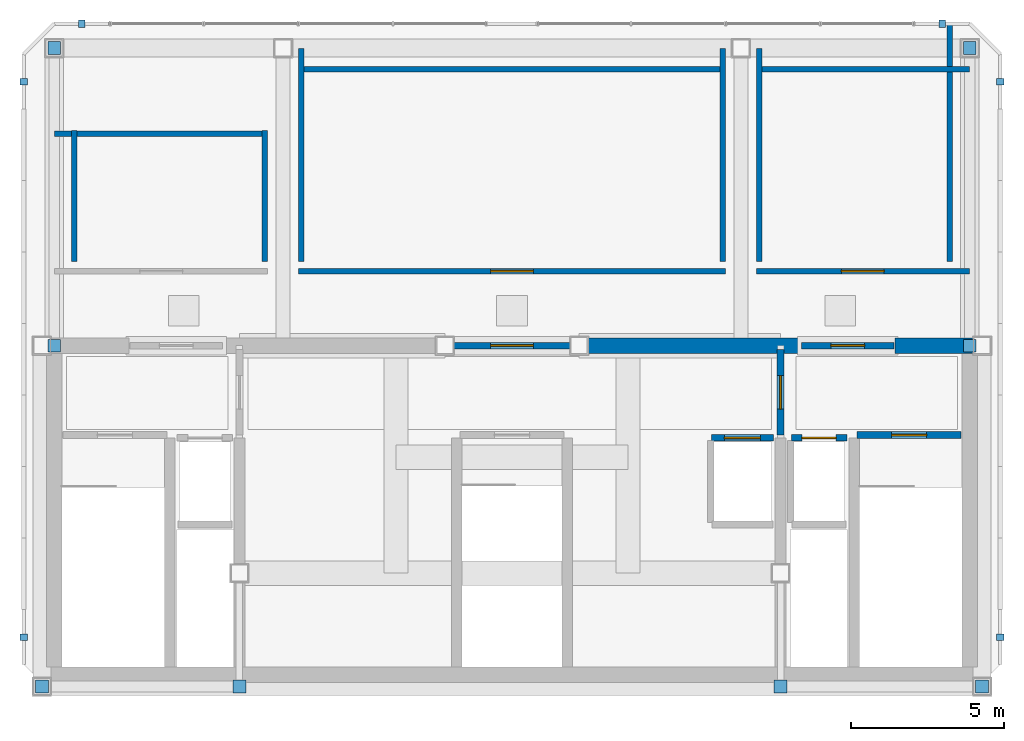
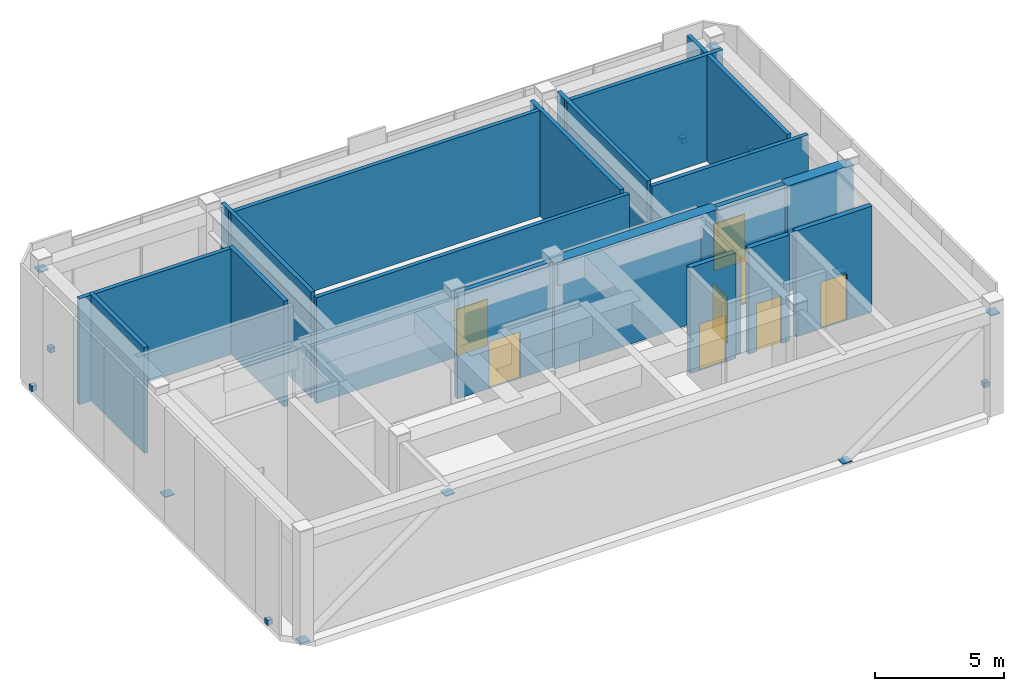
# One storey, part 8 of 9: 19 walls, 14 discrete accessories, 8 doors, 8 openings.
"""IFC4 building model written with IfcOpenShell, lengths in metres."""

from ifc_helpers import new_model, si_unit, direction, frame, frame_2d, origin, origin_2d, place, context, subcontext, project, spatial, rectangle, extrude, material, layer, layer_set, type_object, element, fill, save


model = new_model("IFC4")

# Units and contexts
model_context = context("Model", 3, precision=1e-05, world=origin(), true_north=direction((0.0, 1.0)))
body_context = subcontext(model_context, "Body", "Model", "MODEL_VIEW")
ifc_project = project(units=[si_unit("LENGTHUNIT", "METRE"), si_unit("AREAUNIT", "SQUARE_METRE"), si_unit("VOLUMEUNIT", "CUBIC_METRE"), si_unit("PLANEANGLEUNIT", "RADIAN"), si_unit("MASSUNIT", "GRAM", prefix="KILO")], contexts=[model_context])

# Site, building, storey
site_placement = place(None, origin())
site = spatial("IfcSite", under=ifc_project, at=site_placement, CompositionType="ELEMENT")
building_placement = place(site_placement, origin())
building = spatial("IfcBuilding", under=site, at=building_placement, Name="Ventersveld Concourse Tower", CompositionType="ELEMENT")
storey_placement = place(building_placement, frame((0.0, 0.0, 388.25)))
storey = spatial("IfcBuildingStorey", under=building, at=storey_placement, Name="L94", CompositionType="ELEMENT", Elevation=388.25)

# Walls
ifc_material_1 = material(Name="Concrete C50/60", Category="concrete")
ifc_layer_1 = layer(ifc_material_1, 0.5)
ifc_layer_set_1 = layer_set([ifc_layer_1], Name="Concrete C50/60")
wall_type_1 = type_object("IfcWallType", Name="WL-CORE-500", PredefinedType="SHEAR", material=ifc_layer_set_1)
wall_1_placement = place(storey_placement, frame((30.89990234375, 11.449951171875, 0.0), z_axis=(0.0, 0.0, 1.0), x_axis=(1.0, 0.0, 0.0)))
element("IfcWall", 1, at=wall_1_placement, inside=storey, type_object=wall_type_1, Name="L94 Rear Core North Shear Wall NMR", PredefinedType="SHEAR", context=body_context, shape_type="SweptSolid", body=[
    extrude(rectangle(XDim=7.300048828125, YDim=0.5, at=frame_2d((3.64990234375, 0.0))), origin(), (0.0, 0.0, 1.0), 5.0),
])
wall_2_placement = place(storey_placement, frame((41.300048828125, 11.449951171875, 0.0), z_axis=(0.0, 0.0, 1.0), x_axis=(1.0, 0.0, 0.0)))
element("IfcWall", 2, at=wall_2_placement, inside=storey, type_object=wall_type_1, Name="L94 Rear Core North Shear Wall NE", PredefinedType="SHEAR", context=body_context, shape_type="SweptSolid", body=[
    extrude(rectangle(XDim=2.949951171875, YDim=0.5, at=frame_2d((1.47509765625, 0.0))), origin(), (0.0, 0.0, 1.0), 5.0),
])

# Wall, opening, door
ifc_material_2 = material(Name="Fire-rated autoclaved aerated masonry blockwork", Category="masonry")
ifc_layer_2 = layer(ifc_material_2, 0.179931640625)
ifc_layer_set_2 = layer_set([ifc_layer_2], Name="Fire-rated autoclaved aerated masonry blockwork")
wall_type_2 = type_object("IfcWallType", Name="WL-CORR-180", PredefinedType="PARTITIONING", material=ifc_layer_set_2)
wall_3_placement = place(storey_placement, frame((21.7548828125, 13.889892578125, 0.0), z_axis=(0.0, 0.0, 1.0), x_axis=(1.0, 0.0, 0.0)))
wall_3 = element("IfcWall", 3, at=wall_3_placement, inside=storey, type_object=wall_type_2, Name="L94 Interior Partition SP-L94-PCOR-SP-L94-UPS", PredefinedType="PARTITIONING", context=body_context, shape_type="SweptSolid", body=[
    extrude(rectangle(XDim=13.990234375, YDim=0.179931640625, at=frame_2d((6.9951171875, 0.0))), origin(), (0.0, 0.0, 1.0), 5.0),
])
opening_1_placement = place(wall_3_placement, frame((6.294921875, 0.0, 0.0)))
opening_1 = element("IfcOpeningElement", 4, at=opening_1_placement, cuts=wall_3, Name="Opening FD4", PredefinedType="OPENING", context=body_context, shape_type="SweptSolid", body=[
    extrude(rectangle(XDim=1.39990234375, YDim=2.199951171875, at=frame_2d((0.699951171875, 1.10009765625))), frame((0.0, 0.10009765625, 0.0), z_axis=(0.0, -1.0, 0.0), x_axis=(1.0, 0.0, 0.0)), (0.0, 0.0, 1.0), 0.199951171875),
])
ifc_material_3 = material(Name="Galvanised painted steel", Category="steel")
door_type_1 = type_object("IfcDoorType", Name="DR-PLANT-140", OperationType="DOUBLE_DOOR_SINGLE_SWING", PredefinedType="DOOR", material=ifc_material_3)
door_1_placement = place(opening_1_placement, origin())
door_1 = element("IfcDoor", 5, at=door_1_placement, inside=storey, type_object=door_type_1, Name="L94 Interior Door SP-L94-PCOR to SP-L94-UPS (FD-L94-4016)", OperationType="DOUBLE_DOOR_SINGLE_SWING", OverallHeight=2.199951171875, OverallWidth=1.39990234375, PredefinedType="DOOR", context=body_context, shape_type="SweptSolid", body=[
    extrude(rectangle(XDim=1.39990234375, YDim=2.199951171875, at=frame_2d((0.699951171875, 1.10009765625))), frame((0.0, 0.02490234375, 0.0), z_axis=(0.0, -1.0, 0.0), x_axis=(1.0, 0.0, 0.0)), (0.0, 0.0, 1.0), 0.050048828125),
])
fill(opening_1, door_1)

wall_4_placement = place(storey_placement, frame((36.7548828125, 13.889892578125, 0.0), z_axis=(0.0, 0.0, 1.0), x_axis=(1.0, 0.0, 0.0)))
wall_4 = element("IfcWall", 6, at=wall_4_placement, inside=storey, type_object=wall_type_2, Name="L94 Interior Partition SP-L94-PCOR-SP-L94-TNK", PredefinedType="PARTITIONING", context=body_context, shape_type="SweptSolid", body=[
    extrude(rectangle(XDim=6.97705078125, YDim=0.179931640625, at=frame_2d((3.488525390625, 0.0))), origin(), (0.0, 0.0, 1.0), 5.0),
])
opening_2_placement = place(wall_4_placement, frame((2.78857421875, 0.0, 0.0)))
opening_2 = element("IfcOpeningElement", 7, at=opening_2_placement, cuts=wall_4, Name="Opening FD4", PredefinedType="OPENING", context=body_context, shape_type="SweptSolid", body=[
    extrude(rectangle(XDim=1.39990234375, YDim=2.199951171875, at=frame_2d((0.699951171875, 1.10009765625))), frame((0.0, 0.10009765625, 0.0), z_axis=(0.0, -1.0, 0.0), x_axis=(1.0, 0.0, 0.0)), (0.0, 0.0, 1.0), 0.199951171875),
])
door_2_placement = place(opening_2_placement, origin())
door_2 = element("IfcDoor", 8, at=door_2_placement, inside=storey, type_object=door_type_1, Name="L94 Interior Door SP-L94-PCOR to SP-L94-TNK (FD-L94-4017)", OperationType="DOUBLE_DOOR_SINGLE_SWING", OverallHeight=2.199951171875, OverallWidth=1.39990234375, PredefinedType="DOOR", context=body_context, shape_type="SweptSolid", body=[
    extrude(rectangle(XDim=1.39990234375, YDim=2.199951171875, at=frame_2d((0.699951171875, 1.10009765625))), frame((0.0, 0.02490234375, 0.0), z_axis=(0.0, -1.0, 0.0), x_axis=(1.0, 0.0, 0.0)), (0.0, 0.0, 1.0), 0.050048828125),
])
fill(opening_2, door_2)

# Walls
wall_5_placement = place(storey_placement, frame((20.64990234375, 14.215087890625, 0.0), z_axis=(0.0, 0.0, 1.0), x_axis=(0.0, 1.0, 0.0)))
element("IfcWall", 9, at=wall_5_placement, inside=storey, type_object=wall_type_2, Name="L94 Room Enclosure Wall SP-L94-TX", PredefinedType="PARTITIONING", context=body_context, shape_type="SweptSolid", body=[
    extrude(rectangle(XDim=4.280029296875, YDim=0.179931640625, at=frame_2d((2.14013671875, 0.0))), origin(), (0.0, 0.0, 1.0), 5.0),
])
wall_6_placement = place(storey_placement, frame((20.7451171875, 18.39990234375, 0.0), z_axis=(0.0, 0.0, 1.0), x_axis=(-1.0, 0.0, 0.0)))
element("IfcWall", 10, at=wall_6_placement, inside=storey, type_object=wall_type_2, Name="L94 Room Enclosure Wall SP-L94-TX", PredefinedType="PARTITIONING", context=body_context, shape_type="SweptSolid", body=[
    extrude(rectangle(XDim=6.97705078125, YDim=0.179931640625, at=frame_2d((3.488525390625, 0.0))), origin(), (0.0, 0.0, 1.0), 5.0),
])
wall_7_placement = place(storey_placement, frame((14.39990234375, 18.4951171875, 0.0), z_axis=(0.0, 0.0, 1.0), x_axis=(0.0, -1.0, 0.0)))
element("IfcWall", 11, at=wall_7_placement, inside=storey, type_object=wall_type_2, Name="L94 Room Enclosure Wall SP-L94-TX", PredefinedType="PARTITIONING", context=body_context, shape_type="SweptSolid", body=[
    extrude(rectangle(XDim=4.280029296875, YDim=0.179931640625, at=frame_2d((2.14013671875, 0.0))), origin(), (0.0, 0.0, 1.0), 5.0),
])
wall_8_placement = place(storey_placement, frame((35.64990234375, 14.215087890625, 0.0), z_axis=(0.0, 0.0, 1.0), x_axis=(0.0, 1.0, 0.0)))
element("IfcWall", 12, at=wall_8_placement, inside=storey, type_object=wall_type_2, Name="L94 Room Enclosure Wall SP-L94-UPS", PredefinedType="PARTITIONING", context=body_context, shape_type="SweptSolid", body=[
    extrude(rectangle(XDim=6.970458984375, YDim=0.179931640625, at=frame_2d((3.4853515625, 0.0))), origin(), (0.0, 0.0, 1.0), 5.0),
])
wall_9_placement = place(storey_placement, frame((35.7451171875, 20.5, 0.0), z_axis=(0.0, 0.0, 1.0), x_axis=(-1.0, 0.0, 0.0)))
element("IfcWall", 13, at=wall_9_placement, inside=storey, type_object=wall_type_2, Name="L94 Room Enclosure Wall SP-L94-UPS", PredefinedType="PARTITIONING", context=body_context, shape_type="SweptSolid", body=[
    extrude(rectangle(XDim=13.990234375, YDim=0.179931640625, at=frame_2d((6.9951171875, 0.0))), origin(), (0.0, 0.0, 1.0), 5.0),
])
wall_10_placement = place(storey_placement, frame((21.85009765625, 21.185546875, 0.0), z_axis=(0.0, 0.0, 1.0), x_axis=(0.0, -1.0, 0.0)))
element("IfcWall", 14, at=wall_10_placement, inside=storey, type_object=wall_type_2, Name="L94 Room Enclosure Wall SP-L94-UPS", PredefinedType="PARTITIONING", context=body_context, shape_type="SweptSolid", body=[
    extrude(rectangle(XDim=6.970458984375, YDim=0.179931640625, at=frame_2d((3.4853515625, 0.0))), origin(), (0.0, 0.0, 1.0), 5.0),
])
wall_11_placement = place(storey_placement, frame((43.10009765625, 14.215087890625, 0.0), z_axis=(0.0, 0.0, 1.0), x_axis=(0.0, 1.0, 0.0)))
element("IfcWall", 15, at=wall_11_placement, inside=storey, type_object=wall_type_2, Name="L94 Room Enclosure Wall SP-L94-TNK", PredefinedType="PARTITIONING", context=body_context, shape_type="SweptSolid", body=[
    extrude(rectangle(XDim=7.77587890625, YDim=0.179931640625, at=frame_2d((3.887939453125, 0.0))), origin(), (0.0, 0.0, 1.0), 5.0),
])
wall_12_placement = place(storey_placement, frame((43.73193359375, 20.5, 0.0), z_axis=(0.0, 0.0, 1.0), x_axis=(-1.0, 0.0, 0.0)))
element("IfcWall", 16, at=wall_12_placement, inside=storey, type_object=wall_type_2, Name="L94 Room Enclosure Wall SP-L94-TNK", PredefinedType="PARTITIONING", context=body_context, shape_type="SweptSolid", body=[
    extrude(rectangle(XDim=6.97705078125, YDim=0.179931640625, at=frame_2d((3.488525390625, 0.0))), origin(), (0.0, 0.0, 1.0), 5.0),
])
wall_13_placement = place(storey_placement, frame((36.85009765625, 21.185546875, 0.0), z_axis=(0.0, 0.0, 1.0), x_axis=(0.0, -1.0, 0.0)))
element("IfcWall", 17, at=wall_13_placement, inside=storey, type_object=wall_type_2, Name="L94 Room Enclosure Wall SP-L94-TNK", PredefinedType="PARTITIONING", context=body_context, shape_type="SweptSolid", body=[
    extrude(rectangle(XDim=6.970458984375, YDim=0.179931640625, at=frame_2d((3.4853515625, 0.0))), origin(), (0.0, 0.0, 1.0), 5.0),
])

# Wall, opening, door
ifc_layer_3 = layer(ifc_material_2, 0.219970703125)
ifc_layer_set_3 = layer_set([ifc_layer_3], Name="Fire-rated autoclaved aerated masonry blockwork")
wall_type_3 = type_object("IfcWallType", Name="WL-HOIST-220", PredefinedType="SOLIDWALL", material=ifc_layer_set_3)
wall_14_placement = place(storey_placement, frame((37.89990234375, 8.429931640625, 0.0), z_axis=(0.0, 0.0, 1.0), x_axis=(1.0, 0.0, 0.0)))
wall_14 = element("IfcWall", 18, at=wall_14_placement, inside=storey, type_object=wall_type_3, Name="L94 Lift Hoistway Front Wall FFL-02", PredefinedType="SOLIDWALL", context=body_context, shape_type="SweptSolid", body=[
    extrude(rectangle(XDim=1.820068359375, YDim=0.219970703125, at=frame_2d((0.91015625, 0.0))), origin(), (0.0, 0.0, 1.0), 5.0),
])
opening_3_placement = place(wall_14_placement, frame((0.35009765625, 0.0, 0.0)))
opening_3 = element("IfcOpeningElement", 19, at=opening_3_placement, cuts=wall_14, Name="Opening LD1", PredefinedType="OPENING", context=body_context, shape_type="SweptSolid", body=[
    extrude(rectangle(XDim=1.1201171875, YDim=2.25, at=frame_2d((0.56005859375, 1.125))), frame((0.0, 0.1201171875, 0.0), z_axis=(0.0, -1.0, 0.0), x_axis=(1.0, 0.0, 0.0)), (0.0, 0.0, 1.0), 0.239990234375),
])
ifc_material_4 = material(Name="Brushed stainless steel 316", Category="steel")
door_type_2 = type_object("IfcDoorType", Name="LD-FF-112", OperationType="SLIDING_TO_LEFT", PredefinedType="DOOR", material=ifc_material_4)
door_3_placement = place(opening_3_placement, origin())
door_3 = element("IfcDoor", 20, at=door_3_placement, inside=storey, type_object=door_type_2, Name="L94 Lift landing door FFL-02 (LD-L94-FFL-02)", OperationType="SLIDING_TO_LEFT", OverallHeight=2.25, OverallWidth=1.1201171875, PredefinedType="DOOR", context=body_context, shape_type="SweptSolid", body=[
    extrude(rectangle(XDim=1.1201171875, YDim=2.25, at=frame_2d((0.56005859375, 1.125))), frame((0.0, 0.02490234375, 0.0), z_axis=(0.0, -1.0, 0.0), x_axis=(1.0, 0.0, 0.0)), (0.0, 0.0, 1.0), 0.050048828125),
])
fill(opening_3, door_3)

wall_15_placement = place(storey_placement, frame((35.280029296875, 8.429931640625, 0.0), z_axis=(0.0, 0.0, 1.0), x_axis=(1.0, 0.0, 0.0)))
wall_15 = element("IfcWall", 21, at=wall_15_placement, inside=storey, type_object=wall_type_3, Name="L94 Lift Hoistway Front Wall SVL-01", PredefinedType="SOLIDWALL", context=body_context, shape_type="SweptSolid", body=[
    extrude(rectangle(XDim=2.0400390625, YDim=0.219970703125, at=frame_2d((1.02001953125, 0.0))), origin(), (0.0, 0.0, 1.0), 5.0),
])
opening_4_placement = place(wall_15_placement, frame((0.429931640625, 0.0, 0.0)))
opening_4 = element("IfcOpeningElement", 22, at=opening_4_placement, cuts=wall_15, Name="Opening LD2", PredefinedType="OPENING", context=body_context, shape_type="SweptSolid", body=[
    extrude(rectangle(XDim=1.179931640625, YDim=2.199951171875, at=frame_2d((0.58984375, 1.10009765625))), frame((0.0, 0.1201171875, 0.0), z_axis=(0.0, -1.0, 0.0), x_axis=(1.0, 0.0, 0.0)), (0.0, 0.0, 1.0), 0.239990234375),
])
door_type_3 = type_object("IfcDoorType", Name="LD-PAX-118", OperationType="SLIDING_TO_LEFT", PredefinedType="DOOR", material=ifc_material_4)
door_4_placement = place(opening_4_placement, origin())
door_4 = element("IfcDoor", 23, at=door_4_placement, inside=storey, type_object=door_type_3, Name="L94 Lift landing door SVL-01 (LD-L94-SVL-01)", OperationType="SLIDING_TO_RIGHT", OverallHeight=2.199951171875, OverallWidth=1.179931640625, PredefinedType="DOOR", context=body_context, shape_type="SweptSolid", body=[
    extrude(rectangle(XDim=1.179931640625, YDim=2.199951171875, at=frame_2d((0.58984375, 1.10009765625))), frame((0.0, 0.02490234375, 0.0), z_axis=(0.0, -1.0, 0.0), x_axis=(1.0, 0.0, 0.0)), (0.0, 0.0, 1.0), 0.050048828125),
])
fill(opening_4, door_4)

wall_16_placement = place(storey_placement, frame((40.06005859375, 8.52001953125, 0.0), z_axis=(0.0, 0.0, 1.0), x_axis=(1.0, 0.0, 0.0)))
wall_16 = element("IfcWall", 24, at=wall_16_placement, inside=storey, type_object=wall_type_3, Name="L94 Escape Stair ST02 Fire Wall", PredefinedType="SOLIDWALL", context=body_context, shape_type="SweptSolid", body=[
    extrude(rectangle(XDim=3.39990234375, YDim=0.219970703125, at=frame_2d((1.699951171875, 0.0))), origin(), (0.0, 0.0, 1.0), 5.0),
])
opening_5_placement = place(wall_16_placement, frame((1.125, 0.0, 0.0)))
opening_5 = element("IfcOpeningElement", 25, at=opening_5_placement, cuts=wall_16, Name="Opening FD1", PredefinedType="OPENING", context=body_context, shape_type="SweptSolid", body=[
    extrude(rectangle(XDim=1.14990234375, YDim=2.199951171875, at=frame_2d((0.574951171875, 1.10009765625))), frame((0.0, 0.1201171875, 0.0), z_axis=(0.0, -1.0, 0.0), x_axis=(1.0, 0.0, 0.0)), (0.0, 0.0, 1.0), 0.239990234375),
])
door_type_4 = type_object("IfcDoorType", Name="DR-STAIR-115", OperationType="NOTDEFINED", PredefinedType="DOOR", material=ifc_material_3)
door_5_placement = place(opening_5_placement, origin())
door_5 = element("IfcDoor", 26, at=door_5_placement, inside=storey, type_object=door_type_4, Name="L94 Escape Stair Door ST02 (SD-L94-4008)", OperationType="SINGLE_SWING_RIGHT", OverallHeight=2.199951171875, OverallWidth=1.14990234375, PredefinedType="DOOR", context=body_context, shape_type="SweptSolid", body=[
    extrude(rectangle(XDim=1.14990234375, YDim=2.199951171875, at=frame_2d((0.574951171875, 1.10009765625))), frame((0.0, 0.02490234375, 0.0), z_axis=(0.0, -1.0, 0.0), x_axis=(1.0, 0.0, 0.0)), (0.0, 0.0, 1.0), 0.050048828125),
])
fill(opening_5, door_5)

wall_17_placement = place(storey_placement, frame((37.550048828125, 8.52001953125, 0.0), z_axis=(0.0, 0.0, 1.0), x_axis=(0.0, 1.0, 0.0)))
wall_17 = element("IfcWall", 27, at=wall_17_placement, inside=storey, type_object=wall_type_3, Name="L94 Firefighting Lobby Smoke-Stop Wall FFLE-SEP", PredefinedType="SOLIDWALL", context=body_context, shape_type="SweptSolid", body=[
    extrude(rectangle(XDim=2.800048828125, YDim=0.219970703125, at=frame_2d((1.39990234375, 0.0))), origin(), (0.0, 0.0, 1.0), 4.45556640625),
])
opening_6_placement = place(wall_17_placement, frame((0.85009765625, 0.0, 0.0)))
opening_6 = element("IfcOpeningElement", 28, at=opening_6_placement, cuts=wall_17, Name="Opening FD2", PredefinedType="OPENING", context=body_context, shape_type="SweptSolid", body=[
    extrude(rectangle(XDim=1.10009765625, YDim=2.199951171875, at=frame_2d((0.550048828125, 1.10009765625))), frame((0.0, 0.1201171875, 0.0), z_axis=(0.0, -1.0, 0.0), x_axis=(1.0, 0.0, 0.0)), (0.0, 0.0, 1.0), 0.239990234375),
])
door_type_5 = type_object("IfcDoorType", Name="DR-FFL-110", OperationType="NOTDEFINED", PredefinedType="DOOR", material=ifc_material_3)
door_6_placement = place(opening_6_placement, origin())
door_6 = element("IfcDoor", 29, at=door_6_placement, inside=storey, type_object=door_type_5, Name="L94 Firefighting Lobby Door FFLE-SEP (FD-L94-4011)", OperationType="SINGLE_SWING_RIGHT", OverallHeight=2.199951171875, OverallWidth=1.10009765625, PredefinedType="DOOR", context=body_context, shape_type="SweptSolid", body=[
    extrude(rectangle(XDim=1.10009765625, YDim=2.199951171875, at=frame_2d((0.550048828125, 1.10009765625))), frame((0.0, 0.02490234375, 0.0), z_axis=(0.0, -1.0, 0.0), x_axis=(1.0, 0.0, 0.0)), (0.0, 0.0, 1.0), 0.050048828125),
])
fill(opening_6, door_6)

wall_18_placement = place(storey_placement, frame((26.6298828125, 11.449951171875, 0.0), z_axis=(0.0, 0.0, 1.0), x_axis=(1.0, 0.0, 0.0)))
wall_18 = element("IfcWall", 30, at=wall_18_placement, inside=storey, type_object=wall_type_3, Name="L94 Core North Fire Portal PLOB-OUT", PredefinedType="SOLIDWALL", context=body_context, shape_type="SweptSolid", body=[
    extrude(rectangle(XDim=4.240234375, YDim=0.219970703125, at=frame_2d((2.1201171875, 0.0))), origin(), (0.0, 0.0, 1.0), 5.0),
])
opening_7_placement = place(wall_18_placement, frame((1.419921875, 0.0, 0.0)))
opening_7 = element("IfcOpeningElement", 31, at=opening_7_placement, cuts=wall_18, Name="Opening FD4", PredefinedType="OPENING", context=body_context, shape_type="SweptSolid", body=[
    extrude(rectangle(XDim=1.39990234375, YDim=2.199951171875, at=frame_2d((0.699951171875, 1.10009765625))), frame((0.0, 0.1201171875, 0.0), z_axis=(0.0, -1.0, 0.0), x_axis=(1.0, 0.0, 0.0)), (0.0, 0.0, 1.0), 0.239990234375),
])
door_7_placement = place(opening_7_placement, origin())
door_7 = element("IfcDoor", 32, at=door_7_placement, inside=storey, type_object=door_type_1, Name="L94 Core Lobby Fire Door PLOB-OUT (FD-L94-4013)", OperationType="DOUBLE_DOOR_SINGLE_SWING", OverallHeight=2.199951171875, OverallWidth=1.39990234375, PredefinedType="DOOR", context=body_context, shape_type="SweptSolid", body=[
    extrude(rectangle(XDim=1.39990234375, YDim=2.199951171875, at=frame_2d((0.699951171875, 1.10009765625))), frame((0.0, 0.02490234375, 0.0), z_axis=(0.0, -1.0, 0.0), x_axis=(1.0, 0.0, 0.0)), (0.0, 0.0, 1.0), 0.050048828125),
])
fill(opening_7, door_7)

wall_19_placement = place(storey_placement, frame((38.22998046875, 11.449951171875, 0.0), z_axis=(0.0, 0.0, 1.0), x_axis=(1.0, 0.0, 0.0)))
wall_19 = element("IfcWall", 33, at=wall_19_placement, inside=storey, type_object=wall_type_3, Name="L94 Core North Fire Portal FFLE-OUT", PredefinedType="SOLIDWALL", context=body_context, shape_type="SweptSolid", body=[
    extrude(rectangle(XDim=3.0400390625, YDim=0.219970703125, at=frame_2d((1.52001953125, 0.0))), origin(), (0.0, 0.0, 1.0), 5.0),
])
opening_8_placement = place(wall_19_placement, frame((0.969970703125, 0.0, 0.0)))
opening_8 = element("IfcOpeningElement", 34, at=opening_8_placement, cuts=wall_19, Name="Opening FD2", PredefinedType="OPENING", context=body_context, shape_type="SweptSolid", body=[
    extrude(rectangle(XDim=1.10009765625, YDim=2.199951171875, at=frame_2d((0.550048828125, 1.10009765625))), frame((0.0, 0.1201171875, 0.0), z_axis=(0.0, -1.0, 0.0), x_axis=(1.0, 0.0, 0.0)), (0.0, 0.0, 1.0), 0.239990234375),
])
door_8_placement = place(opening_8_placement, origin())
door_8 = element("IfcDoor", 35, at=door_8_placement, inside=storey, type_object=door_type_5, Name="L94 Core Lobby Fire Door FFLE-OUT (FD-L94-4014)", OperationType="SINGLE_SWING_LEFT", OverallHeight=2.199951171875, OverallWidth=1.10009765625, PredefinedType="DOOR", context=body_context, shape_type="SweptSolid", body=[
    extrude(rectangle(XDim=1.10009765625, YDim=2.199951171875, at=frame_2d((0.550048828125, 1.10009765625))), frame((0.0, 0.02490234375, 0.0), z_axis=(0.0, -1.0, 0.0), x_axis=(1.0, 0.0, 0.0)), (0.0, 0.0, 1.0), 0.050048828125),
])
fill(opening_8, door_8)

# Discrete accessories
ifc_material_5 = material(Name="Structural steel S355J2", Category="steel")
discrete_accessory_type_1 = type_object("IfcDiscreteAccessoryType", Name="BRK-FACADE-150", PredefinedType="BRACKET", material=ifc_material_5)
for number, where, z_axis, x_axis, name in (
    (36, (44.75, 1.89990234375, 0.0), (0.0, 0.0, 1.0), (0.0, 1.0, 0.0), "L94 Crown Cladding Support Bracket E3-P1"),
    (37, (44.75, 20.10009765625, 0.0), (0.0, 0.0, 1.0), (0.0, 1.0, 0.0), "L94 Crown Cladding Support Bracket E3-P2"),
    (38, (42.85009765625, 22.0, 0.0), (0.0, 0.0, 1.0), (-1.0, 0.0, 0.0), "L94 Crown Cladding Support Bracket E5-P1"),
    (39, (14.64990234375, 22.0, 0.0), (0.0, 0.0, 1.0), (-1.0, 0.0, 0.0), "L94 Crown Cladding Support Bracket E5-P2"),
    (40, (12.75, 20.10009765625, 0.0), (0.0, 0.0, 1.0), (0.0, -1.0, 0.0), "L94 Crown Cladding Support Bracket E7-P1"),
    (41, (12.75, 1.89990234375, 0.0), (0.0, 0.0, 1.0), (0.0, -1.0, 0.0), "L94 Crown Cladding Support Bracket E7-P2"),
):
    element("IfcDiscreteAccessory", number, at=place(storey_placement, frame(where, z_axis=z_axis, x_axis=x_axis)), inside=storey, type_object=discrete_accessory_type_1, Name=name, PredefinedType="BRACKET", context=body_context, shape_type="SweptSolid", body=[
        extrude(rectangle(XDim=0.219970703125, YDim=0.239990234375, at=origin_2d()), origin(), (0.0, 0.0, 1.0), 0.239990234375),
    ])
discrete_accessory_type_2 = type_object("IfcDiscreteAccessoryType", Name="CONN-BRACE-ECP1", PredefinedType="BRACKET", material=ifc_material_5)
for number, where, z_axis, x_axis, name in (
    (42, (13.35009765625, 0.280029296875, -0.02001953125), (0.0, 0.0, 1.0), (1.0, 0.0, 0.0), "L94 Steel Brace End Connection Plate ECP1-0189"),
    (43, (19.820068359375, 0.280029296875, 4.679931640625), (0.0, 0.0, 1.0), (1.0, 0.0, 0.0), "L94 Steel Brace End Connection Plate ECP1-0190"),
    (44, (37.550048828125, 0.280029296875, -0.02001953125), (0.0, 0.0, 1.0), (1.0, 0.0, 0.0), "L94 Steel Brace End Connection Plate ECP1-0191"),
    (45, (44.14990234375, 0.280029296875, 4.679931640625), (0.0, 0.0, 1.0), (1.0, 0.0, 0.0), "L94 Steel Brace End Connection Plate ECP1-0192"),
    (46, (13.75, 11.449951171875, -0.02001953125), (0.0, 0.0, 1.0), (1.0, 0.0, 0.0), "L94 Steel Brace End Connection Plate ECP1-0193"),
    (47, (13.75, 21.199951171875, 4.679931640625), (0.0, 0.0, 1.0), (1.0, 0.0, 0.0), "L94 Steel Brace End Connection Plate ECP1-0194"),
    (48, (43.75, 11.449951171875, -0.02001953125), (0.0, 0.0, 1.0), (1.0, 0.0, 0.0), "L94 Steel Brace End Connection Plate ECP1-0195"),
    (49, (43.75, 21.199951171875, 4.679931640625), (0.0, 0.0, 1.0), (1.0, 0.0, 0.0), "L94 Steel Brace End Connection Plate ECP1-0196"),
):
    element("IfcDiscreteAccessory", number, at=place(storey_placement, frame(where, z_axis=z_axis, x_axis=x_axis)), inside=storey, type_object=discrete_accessory_type_2, Name=name, PredefinedType="BRACKET", context=body_context, shape_type="SweptSolid", body=[
        extrude(rectangle(XDim=0.419921875, YDim=0.419921875, at=origin_2d()), origin(), (0.0, 0.0, 1.0), 0.0400390625),
    ])

save(model, "model.ifc")
